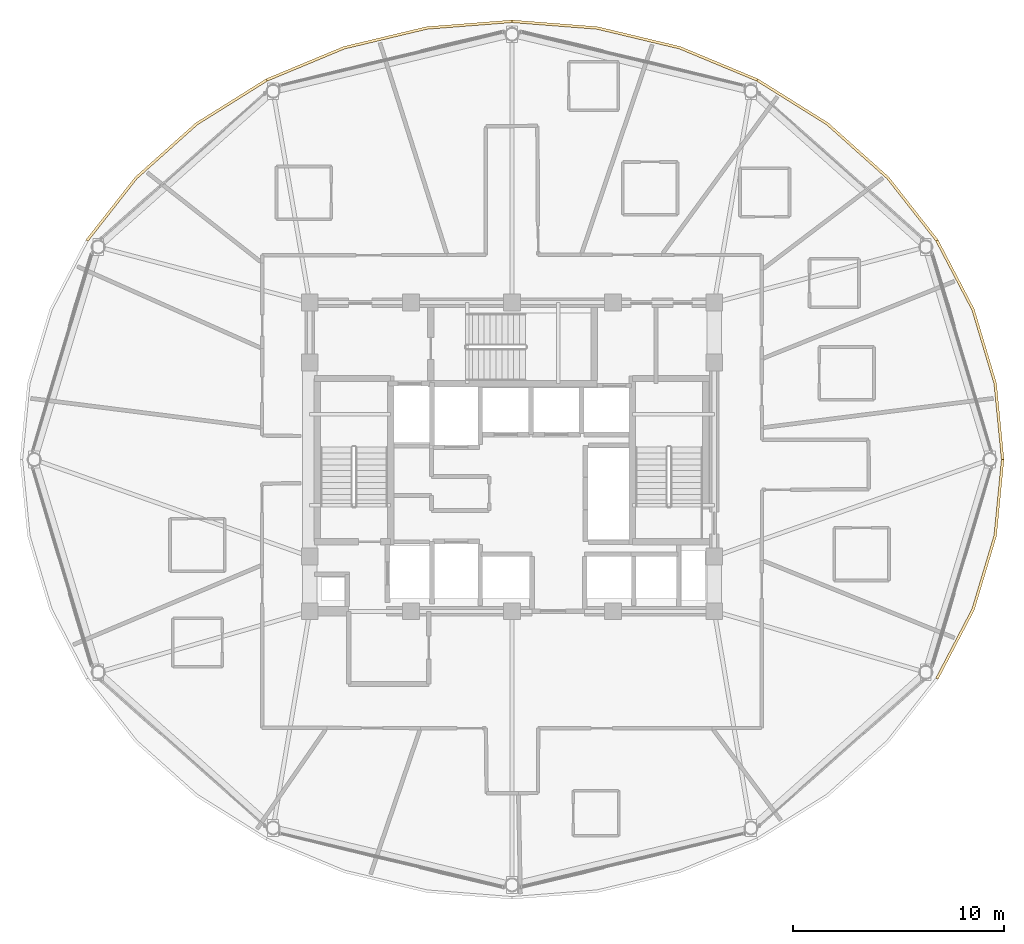
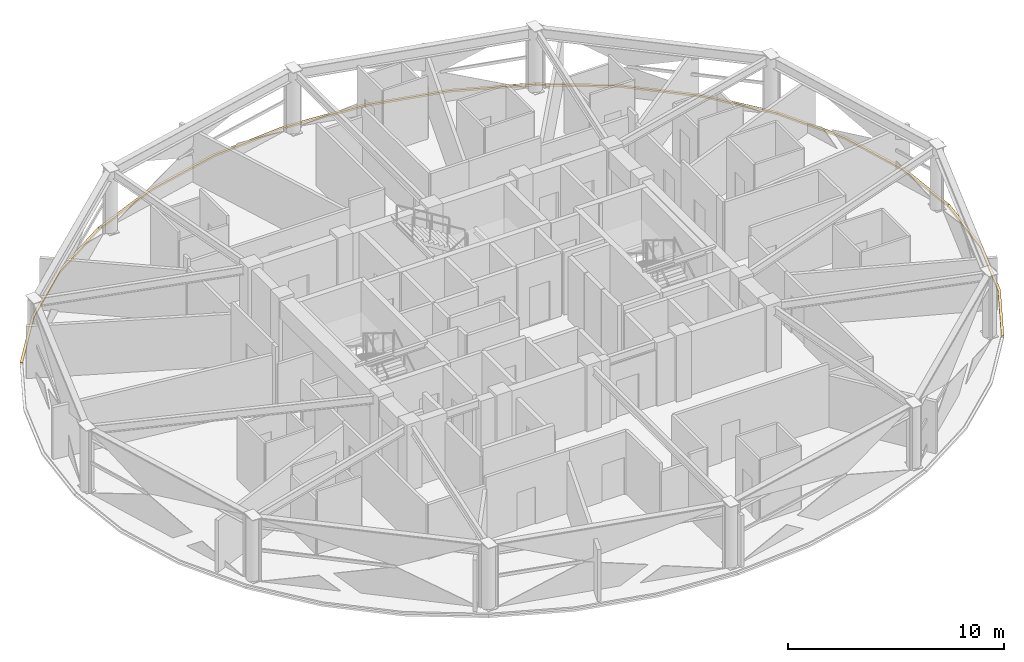
# One storey, part 30 of 30: 6 coverings.
"""IFC4 building model written with IfcOpenShell, lengths in metres."""

import ifcopenshell
import ifcopenshell.guid

model = None  # the IFC model being written
_history = None  # IfcOwnerHistory: only IFC2X3 demands one
_inside = {}  # id of a spatial element -> (the spatial element, [elements in it])
_under = {}  # id of a project, library or spatial element -> (it, [spatial elements below it])
_declared = {}  # id of a project -> (the project, [libraries it declares])
_typed = {}  # id of a type object -> (the type object, [elements of that type])
_made_of = {}  # id of a material, layer set ... -> (it, [elements and type objects made of it])


def new_model(schema):
    """Start an empty IFC model of exactly this schema.

    Asked for "IFC4X3", IfcOpenShell would pick the latest addendum, in which some entities
    have other attributes; the version numbers below select the first issue.
    IFC2X3 requires an IfcOwnerHistory on every rooted entity: one is made here for all.
    """
    global model, _history
    if schema == "IFC4X3":
        model = ifcopenshell.file(schema_version=(4, 3, 0, 0))
    else:
        model = ifcopenshell.file(schema=schema)
    _inside.clear()
    _under.clear()
    _declared.clear()
    _typed.clear()
    _made_of.clear()
    _history = None
    if model.schema == "IFC2X3":
        org = make("IfcOrganization", Name="unknown")
        user = make(
            "IfcPersonAndOrganization",
            ThePerson=make("IfcPerson", FamilyName="unknown"),
            TheOrganization=org,
        )
        app = make(
            "IfcApplication",
            ApplicationDeveloper=org,
            Version="unknown",
            ApplicationFullName="unknown",
            ApplicationIdentifier="unknown",
        )
        _history = make(
            "IfcOwnerHistory",
            OwningUser=user,
            OwningApplication=app,
            ChangeAction="ADDED",
            CreationDate=0,
        )
    return model


def make(cls, **values):
    """One entity of the class cls with the attributes given. An attribute that is None is left unset."""
    return model.create_entity(
        cls, **{name: value for name, value in values.items() if value is not None}
    )


def rooted(cls, **values):
    """An entity with a GlobalId (a new one), such as an element, a storey or a relation."""
    return make(cls, GlobalId=ifcopenshell.guid.new(), OwnerHistory=_history, **values)


def si_unit(unit_type, name, prefix=None):
    """IfcSIUnit, for example si_unit("LENGTHUNIT", "METRE", prefix="MILLI")."""
    return make("IfcSIUnit", UnitType=unit_type, Prefix=prefix, Name=name)


def assignment(units):
    """IfcUnitAssignment: the units of a project."""
    return None if units is None else make("IfcUnitAssignment", Units=units)


def point(xyz):
    """IfcCartesianPoint."""
    return None if xyz is None else make("IfcCartesianPoint", Coordinates=xyz)


def direction(xyz):
    """IfcDirection."""
    return None if xyz is None else make("IfcDirection", DirectionRatios=xyz)


def frame(location, z_axis=None, x_axis=None):
    """IfcAxis2Placement3D, a coordinate frame: its origin and axes. An axis left out is left unset."""
    return make(
        "IfcAxis2Placement3D",
        Location=point(location),
        Axis=direction(z_axis),
        RefDirection=direction(x_axis),
    )


def origin():
    """The frame at (0, 0, 0) with its axes left unset."""
    return frame((0.0, 0.0, 0.0))


def place(relative_to, where):
    """IfcLocalPlacement: puts the frame where relative to a parent placement (None: the world)."""
    return make(
        "IfcLocalPlacement", PlacementRelTo=relative_to, RelativePlacement=where
    )


def context(
    kind, dimensions, precision=None, world=None, true_north=None, identifier=None
):
    """IfcGeometricRepresentationContext, for example the 3D "Model" context."""
    return make(
        "IfcGeometricRepresentationContext",
        ContextIdentifier=identifier,
        ContextType=kind,
        CoordinateSpaceDimension=dimensions,
        Precision=precision,
        WorldCoordinateSystem=world,
        TrueNorth=true_north,
    )


def subcontext(parent, identifier, kind, view, scale=None):
    """IfcGeometricRepresentationSubContext, for example "Body" below "Model"."""
    return make(
        "IfcGeometricRepresentationSubContext",
        ContextIdentifier=identifier,
        ContextType=kind,
        ParentContext=parent,
        TargetScale=scale,
        TargetView=view,
    )


def project(units=None, contexts=None):
    """IfcProject with its units and contexts."""
    return rooted(
        "IfcProject",
        Name="project",
        RepresentationContexts=contexts,
        UnitsInContext=assignment(units),
    )


def spatial(cls, under=None, at=None, **own):
    """A site, building, storey or space (cls), placed at a placement, below another one or the project."""
    s = rooted(cls, ObjectPlacement=at, **own)
    if under is not None:
        _under.setdefault(under.id(), (under, []))[1].append(s)
    return s


def polyline(points):
    """IfcPolyline through the points."""
    return make("IfcPolyline", Points=[point(p) for p in points])


def outline(outer, holes=None, kind="AREA"):
    """IfcArbitraryClosedProfileDef: a profile drawn as a closed curve; with holes, ...WithVoids."""
    if holes is None:
        return make("IfcArbitraryClosedProfileDef", ProfileType=kind, OuterCurve=outer)
    return make(
        "IfcArbitraryProfileDefWithVoids",
        ProfileType=kind,
        OuterCurve=outer,
        InnerCurves=holes,
    )


def extrude(swept, where, along, depth):
    """IfcExtrudedAreaSolid: the profile swept, set in the frame where, extruded along a direction by depth."""
    return make(
        "IfcExtrudedAreaSolid",
        SweptArea=swept,
        Position=where,
        ExtrudedDirection=direction(along),
        Depth=depth,
    )


def shape(context_of_items, identifier, shape_type, items):
    """IfcShapeRepresentation: the items that make up one representation, for example the "Body"."""
    return make(
        "IfcShapeRepresentation",
        ContextOfItems=context_of_items,
        RepresentationIdentifier=identifier,
        RepresentationType=shape_type,
        Items=items,
    )


def material(Name=None, Category=None):
    """IfcMaterial."""
    return make("IfcMaterial", Name=Name, Category=Category)


def layer(
    of_material, thickness, ventilated=None, Name=None, Category=None, Priority=None
):
    """IfcMaterialLayer: one layer of a wall or slab, of a material (None: an air gap)."""
    return make(
        "IfcMaterialLayer",
        Material=of_material,
        LayerThickness=thickness,
        IsVentilated=ventilated,
        Name=Name,
        Category=Category,
        Priority=Priority,
    )


def layer_set(layers, Name=None):
    """IfcMaterialLayerSet."""
    return make("IfcMaterialLayerSet", MaterialLayers=layers, LayerSetName=Name)


def made_of(thing, what):
    """Note that an element or type object is made of a material, layer set ...; save() writes the relation."""
    if what is not None:
        _made_of.setdefault(what.id(), (what, []))[1].append(thing)
    return thing


def type_object(cls, material=None, **own):
    """A type object (cls), such as IfcWallType, which elements share."""
    return made_of(rooted(cls, **own), material)


def element(
    cls,
    number,
    at=None,
    inside=None,
    cuts=None,
    type_object=None,
    material=None,
    context=None,
    identifier="Body",
    shape_type=None,
    held_by="IfcProductDefinitionShape",
    body=None,
    shapes=None,
    **own,
):
    """One element of the class cls, such as IfcWall. Its Tag is "e" and its number.

    at: its placement. inside: the storey or other place that contains it. cuts: it is an
    opening in that element (IfcRelVoidsElement). A single representation is given by context,
    identifier, shape_type and body (its items); several are given by shapes. held_by: the class
    of the entity that holds the representations. save() writes the other relations.
    """
    e = rooted(cls, Tag="e%d" % number, ObjectPlacement=at, **own)
    if body is not None:
        shapes = [shape(context, identifier, shape_type, body)]
    if shapes is not None:
        e.Representation = make(held_by, Representations=shapes)
    if inside is not None:
        _inside.setdefault(inside.id(), (inside, []))[1].append(e)
    if cuts is not None:
        rooted(
            "IfcRelVoidsElement", RelatingBuildingElement=cuts, RelatedOpeningElement=e
        )
    if type_object is not None:
        _typed.setdefault(type_object.id(), (type_object, []))[1].append(e)
    return made_of(e, material)


def aggregate(whole, parts):
    """IfcRelAggregates: a whole, such as a stair, and the parts it consists of."""
    return rooted("IfcRelAggregates", RelatingObject=whole, RelatedObjects=parts)


def save(model, path):
    """Write the relations noted so far, then the file.

    IfcRelAggregates (storeys below a building ...), IfcRelContainedInSpatialStructure (elements
    in a storey), IfcRelDefinesByType, IfcRelAssociatesMaterial and IfcRelDeclares: one each for
    every whole, place, type object, material and project.
    """
    for whole, parts in _under.values():
        aggregate(whole, parts)
    for where, things in _inside.values():
        rooted(
            "IfcRelContainedInSpatialStructure",
            RelatedElements=things,
            RelatingStructure=where,
        )
    for kind, things in _typed.values():
        rooted("IfcRelDefinesByType", RelatedObjects=things, RelatingType=kind)
    for what, things in _made_of.values():
        rooted("IfcRelAssociatesMaterial", RelatedObjects=things, RelatingMaterial=what)
    for by, libraries in _declared.values():
        rooted("IfcRelDeclares", RelatingContext=by, RelatedDefinitions=libraries)
    model.write(path)


model = new_model("IFC4")

# Units and contexts
model_context = context("Model", 3, precision=1e-05, world=origin(), true_north=direction((0.0, 1.0)))
body_context = subcontext(model_context, "Body", "Model", "MODEL_VIEW")
ifc_project = project(units=[si_unit("LENGTHUNIT", "METRE"), si_unit("AREAUNIT", "SQUARE_METRE"), si_unit("VOLUMEUNIT", "CUBIC_METRE"), si_unit("PLANEANGLEUNIT", "RADIAN"), si_unit("MASSUNIT", "GRAM", prefix="KILO")], contexts=[model_context])

# Site, building, storey
site_placement = place(None, origin())
site = spatial("IfcSite", under=ifc_project, at=site_placement, CompositionType="ELEMENT")
building_placement = place(site_placement, origin())
building = spatial("IfcBuilding", under=site, at=building_placement, Name="Vantalir Tower", CompositionType="ELEMENT")
storey_placement = place(building_placement, frame((0.0, 0.0, 186.14990234375)))
storey = spatial("IfcBuildingStorey", under=building, at=storey_placement, Name="L46", CompositionType="ELEMENT", Elevation=186.14990234375)

# Coverings
ifc_material = material(Name="Anodised champagne aluminium sill fascia", Category="aluminium")
ifc_layer = layer(ifc_material, 0.125)
ifc_layer_set = layer_set([ifc_layer], Name="Anodised champagne aluminium sill fascia")
covering_type = type_object("IfcCoveringType", Name="COV-SLAB-FASCIA-125", PredefinedType="CLADDING", material=ifc_layer_set)
covering_1_placement = place(storey_placement, frame((0.0, 0.0, -0.179931640625)))
element("IfcCovering", 1, at=covering_1_placement, inside=storey, type_object=covering_type, Name="L46 Perimeter Slab-Edge Sill Fascia 01", PredefinedType="CLADDING", context=body_context, shape_type="SweptSolid", body=[
    extrude(outline(polyline([(54.85107421875, 25.0), (54.49609375, 28.623046875), (53.443115234375, 32.135986328125), (51.722900390625, 35.430908203125), (51.614013671875, 35.368896484375), (53.324951171875, 32.093017578125), (54.373046875, 28.60107421875), (54.72607421875, 25.0), (54.85107421875, 25.0)])), origin(), (0.0, 0.0, 1.0), 0.10498046875),
])
covering_2_placement = place(storey_placement, frame((0.0, 0.0, -0.179931640625)))
element("IfcCovering", 2, at=covering_2_placement, inside=storey, type_object=covering_type, Name="L46 Perimeter Slab-Edge Sill Fascia 02", PredefinedType="CLADDING", context=body_context, shape_type="SweptSolid", body=[
    extrude(outline(polyline([(51.722900390625, 35.430908203125), (49.387939453125, 38.409912109375), (46.510009765625, 40.98193359375), (43.176025390625, 43.068115234375), (43.113037109375, 42.9599609375), (46.428955078125, 40.885986328125), (49.2919921875, 38.330078125), (51.614013671875, 35.368896484375), (51.722900390625, 35.430908203125)])), origin(), (0.0, 0.0, 1.0), 0.10498046875),
])
covering_3_placement = place(storey_placement, frame((0.0, 0.0, -0.179931640625)))
element("IfcCovering", 3, at=covering_3_placement, inside=storey, type_object=covering_type, Name="L46 Perimeter Slab-Edge Sill Fascia 03", PredefinedType="CLADDING", context=body_context, shape_type="SweptSolid", body=[
    extrude(outline(polyline([(43.176025390625, 43.068115234375), (39.487060546875, 44.60498046875), (35.554931640625, 45.5458984375), (31.5, 45.863037109375), (31.5, 45.738037109375), (35.532958984375, 45.423095703125), (39.444091796875, 44.487060546875), (43.113037109375, 42.9599609375), (43.176025390625, 43.068115234375)])), origin(), (0.0, 0.0, 1.0), 0.10498046875),
])
covering_4_placement = place(storey_placement, frame((0.0, 0.0, -0.179931640625)))
element("IfcCovering", 4, at=covering_4_placement, inside=storey, type_object=covering_type, Name="L46 Perimeter Slab-Edge Sill Fascia 04", PredefinedType="CLADDING", context=body_context, shape_type="SweptSolid", body=[
    extrude(outline(polyline([(31.5, 45.863037109375), (27.445068359375, 45.5458984375), (23.512939453125, 44.60498046875), (19.824951171875, 43.068115234375), (19.886962890625, 42.9599609375), (23.555908203125, 44.487060546875), (27.467041015625, 45.423095703125), (31.5, 45.738037109375), (31.5, 45.863037109375)])), origin(), (0.0, 0.0, 1.0), 0.10498046875),
])
covering_5_placement = place(storey_placement, frame((0.0, 0.0, -0.179931640625)))
element("IfcCovering", 5, at=covering_5_placement, inside=storey, type_object=covering_type, Name="L46 Perimeter Slab-Edge Sill Fascia 05", PredefinedType="CLADDING", context=body_context, shape_type="SweptSolid", body=[
    extrude(outline(polyline([(19.824951171875, 43.068115234375), (16.489990234375, 40.98193359375), (13.612060546875, 38.409912109375), (11.277099609375, 35.430908203125), (11.385986328125, 35.368896484375), (13.7080078125, 38.330078125), (16.571044921875, 40.885986328125), (19.886962890625, 42.9599609375), (19.824951171875, 43.068115234375)])), origin(), (0.0, 0.0, 1.0), 0.10498046875),
])
covering_6_placement = place(storey_placement, frame((0.0, 0.0, -0.179931640625)))
element("IfcCovering", 6, at=covering_6_placement, inside=storey, type_object=covering_type, Name="L46 Perimeter Slab-Edge Sill Fascia 12", PredefinedType="CLADDING", context=body_context, shape_type="SweptSolid", body=[
    extrude(outline(polyline([(51.722900390625, 14.568115234375), (53.443115234375, 17.864013671875), (54.49609375, 21.376953125), (54.85107421875, 25.0), (54.72607421875, 25.0), (54.373046875, 21.39892578125), (53.324951171875, 17.906982421875), (51.614013671875, 14.631103515625), (51.722900390625, 14.568115234375)])), origin(), (0.0, 0.0, 1.0), 0.10498046875),
])

save(model, "model.ifc")
